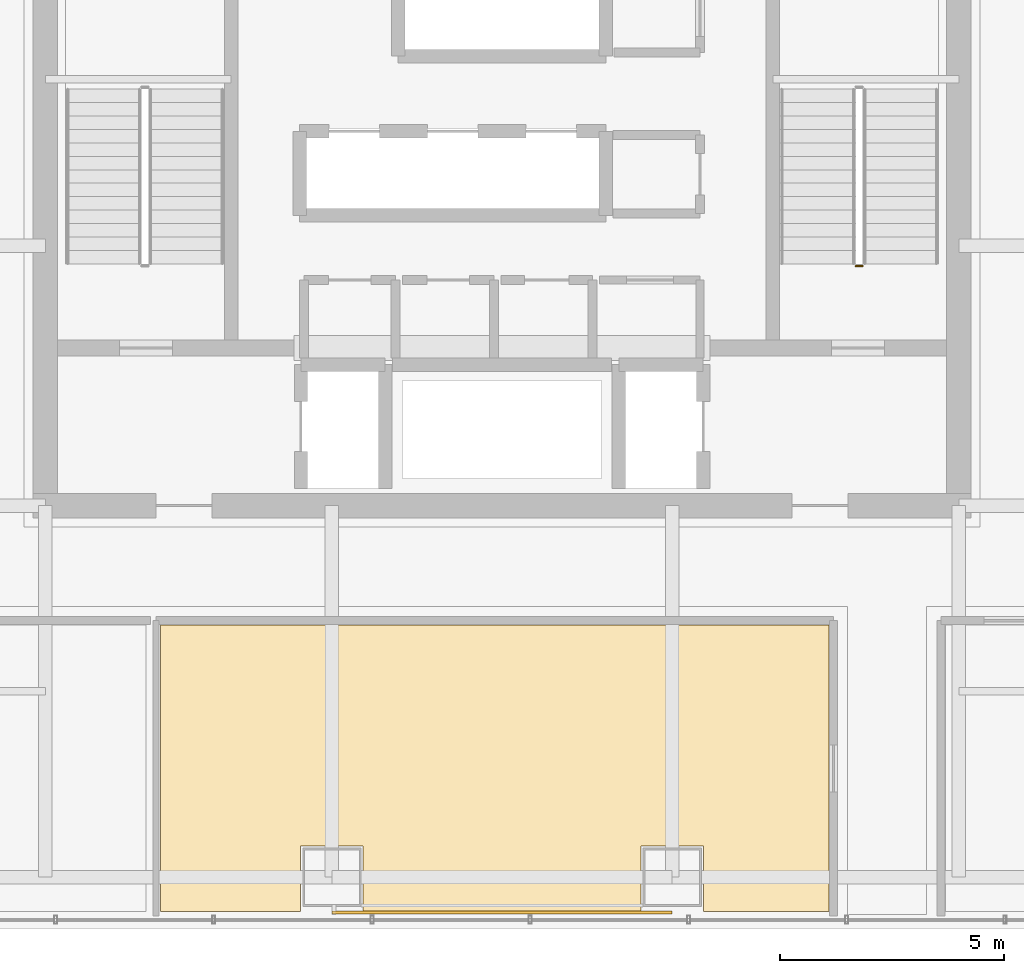
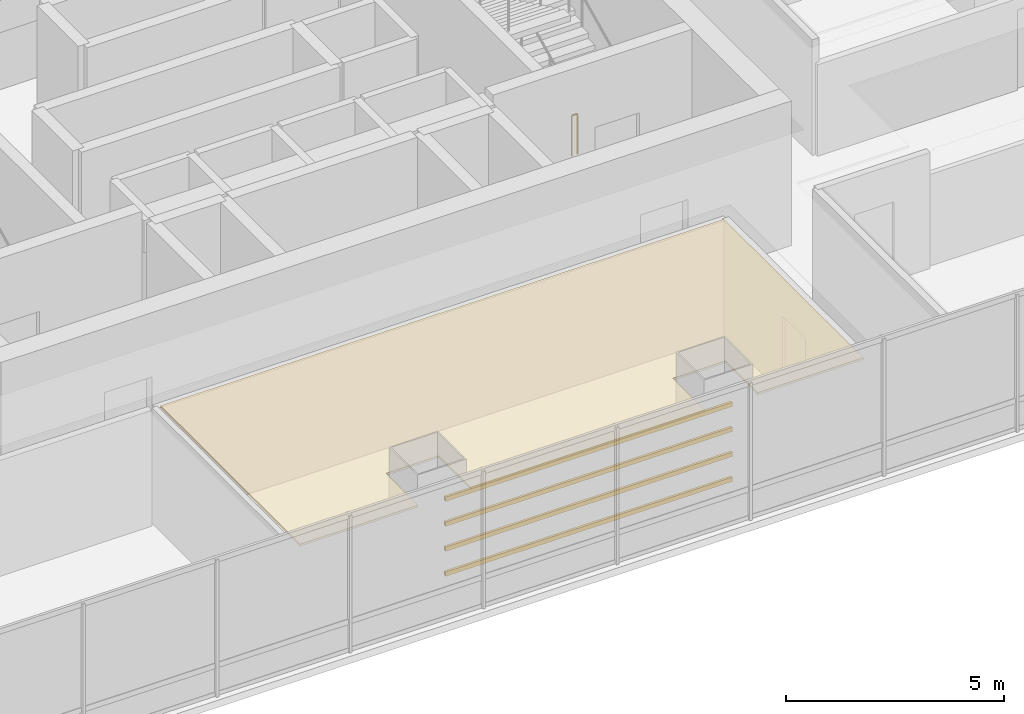
# One storey, part 38 of 42: 4 shading devices, 1 covering, 1 railing.
"""IFC4 building model written with IfcOpenShell, lengths in metres."""

from ifc_helpers import new_model, si_unit, direction, frame, origin, origin_2d, place, context, subcontext, project, spatial, polyline, hollow_rectangle, circle, outline, extrude, material, layer, layer_set, material_profile, profile_set, type_object, element, save


model = new_model("IFC4")

# Units and contexts
model_context = context("Model", 3, precision=1e-05, world=origin(), true_north=direction((0.0, 1.0)))
body_context = subcontext(model_context, "Body", "Model", "MODEL_VIEW")
ifc_project = project(units=[si_unit("LENGTHUNIT", "METRE"), si_unit("AREAUNIT", "SQUARE_METRE"), si_unit("VOLUMEUNIT", "CUBIC_METRE"), si_unit("PLANEANGLEUNIT", "RADIAN"), si_unit("MASSUNIT", "GRAM", prefix="KILO")], contexts=[model_context])

# Site, building, storey
site_placement = place(None, origin())
site = spatial("IfcSite", under=ifc_project, at=site_placement, CompositionType="ELEMENT")
building_placement = place(site_placement, origin())
building = spatial("IfcBuilding", under=site, at=building_placement, Name="Punatoya Terracotta Tower", CompositionType="ELEMENT")
storey_placement = place(building_placement, frame((0.0, 0.0, 255.449951171875)))
storey = spatial("IfcBuildingStorey", under=building, at=storey_placement, Name="L60", CompositionType="ELEMENT", Elevation=255.449951171875)

# Covering
ifc_material_1 = material(Name="Acoustic Mineral Fibre Ceiling")
ifc_layer = layer(ifc_material_1, 0.06005859375)
ifc_layer_set = layer_set([ifc_layer], Name="Acoustic Mineral Fibre Ceiling")
covering_type = type_object("IfcCoveringType", Name="COV-CEIL-60", PredefinedType="CEILING", material=ifc_layer_set)
covering_placement = place(storey_placement, frame((0.0, 0.0, 3.239990234375)))
element("IfcCovering", 1, at=covering_placement, inside=storey, type_object=covering_type, Name="L60 Open-Plan Client Media Salon Acoustic Ceiling", PredefinedType="CEILING", context=body_context, shape_type="SweptSolid", body=[
    extrude(outline(polyline([(-4.5, -18.27001953125), (-4.5, -16.800048828125), (-3.10009765625, -16.800048828125), (-3.10009765625, -18.27001953125), (3.10009765625, -18.27001953125), (3.10009765625, -16.800048828125), (4.5, -16.800048828125), (4.5, -18.27001953125), (7.300048828125, -18.27001953125), (7.300048828125, -11.8701171875), (-7.6259765625, -11.8701171875), (-7.6259765625, -18.27001953125), (-4.5, -18.27001953125)])), origin(), (0.0, 0.0, 1.0), 0.06005859375),
])

# Railing
ifc_material_2 = material(Name="Steel S355", Category="steel")
railing_type = type_object("IfcRailingType", Name="RLG-GRD-1150", PredefinedType="GUARDRAIL", material=ifc_material_2)
railing_placement = place(storey_placement, frame((8.050048828125, -3.85009765625, 0.0)))
element("IfcRailing", 2, at=railing_placement, inside=storey, type_object=railing_type, Name="L60 ST-2 stair guard 4", PredefinedType="GUARDRAIL", context=body_context, shape_type="SweptSolid", body=[
    extrude(circle(Radius=0.02392578125, at=origin_2d()), frame((0.0, 0.0, 1.1259765625), z_axis=(-1.0, 0.0, 0.0), x_axis=(0.0, -1.0, 0.0)), (0.0, 0.0, 1.0), 0.150146484375),
    extrude(circle(Radius=0.02099609375, at=origin_2d()), origin(), (0.0, 0.0, 1.0), 1.101806640625),
    extrude(circle(Radius=0.02099609375, at=origin_2d()), frame((-0.150146484375, 0.0, 0.0)), (0.0, 0.0, 1.0), 1.101806640625),
])

# Shading devices
ifc_material_3 = material(Name="Architectural Fired Terracotta", Category="masonry")
ifc_material_profile = material_profile(ifc_material_3, hollow_rectangle(XDim=0.06494140625, YDim=0.1201171875, WallThickness=0.014892578125, at=origin_2d()))
ifc_profile_set = profile_set([ifc_material_profile], Name="Architectural Fired Terracotta")
shading_device_type = type_object("IfcShadingDeviceType", Name="SHD-BAG-120", PredefinedType="USERDEFINED", material=ifc_profile_set)
for number, where, z_axis, x_axis, name in (
    (3, (-3.800048828125, -18.2900390625, 1.150146484375), (1.0, 0.0, 0.0), (0.0, 1.0, 0.0), "L60 Fired Terracotta Baguette Louvre BAG-L60-S-01"),
    (4, (-3.800048828125, -18.2900390625, 1.85009765625), (1.0, 0.0, 0.0), (0.0, 1.0, 0.0), "L60 Fired Terracotta Baguette Louvre BAG-L60-S-02"),
    (5, (-3.800048828125, -18.2900390625, 2.550048828125), (1.0, 0.0, 0.0), (0.0, 1.0, 0.0), "L60 Fired Terracotta Baguette Louvre BAG-L60-S-03"),
    (6, (-3.800048828125, -18.2900390625, 3.25), (1.0, 0.0, 0.0), (0.0, 1.0, 0.0), "L60 Fired Terracotta Baguette Louvre BAG-L60-S-04"),
):
    element("IfcShadingDevice", number, at=place(storey_placement, frame(where, z_axis=z_axis, x_axis=x_axis)), inside=storey, type_object=shading_device_type, Name=name, ObjectType="BAGUETTE", PredefinedType="USERDEFINED", context=body_context, shape_type="SweptSolid", body=[
        extrude(hollow_rectangle(XDim=0.06494140625, YDim=0.1201171875, WallThickness=0.014892578125, at=origin_2d()), origin(), (0.0, 0.0, 1.0), 7.60009765625),
    ])

save(model, "model.ifc")
